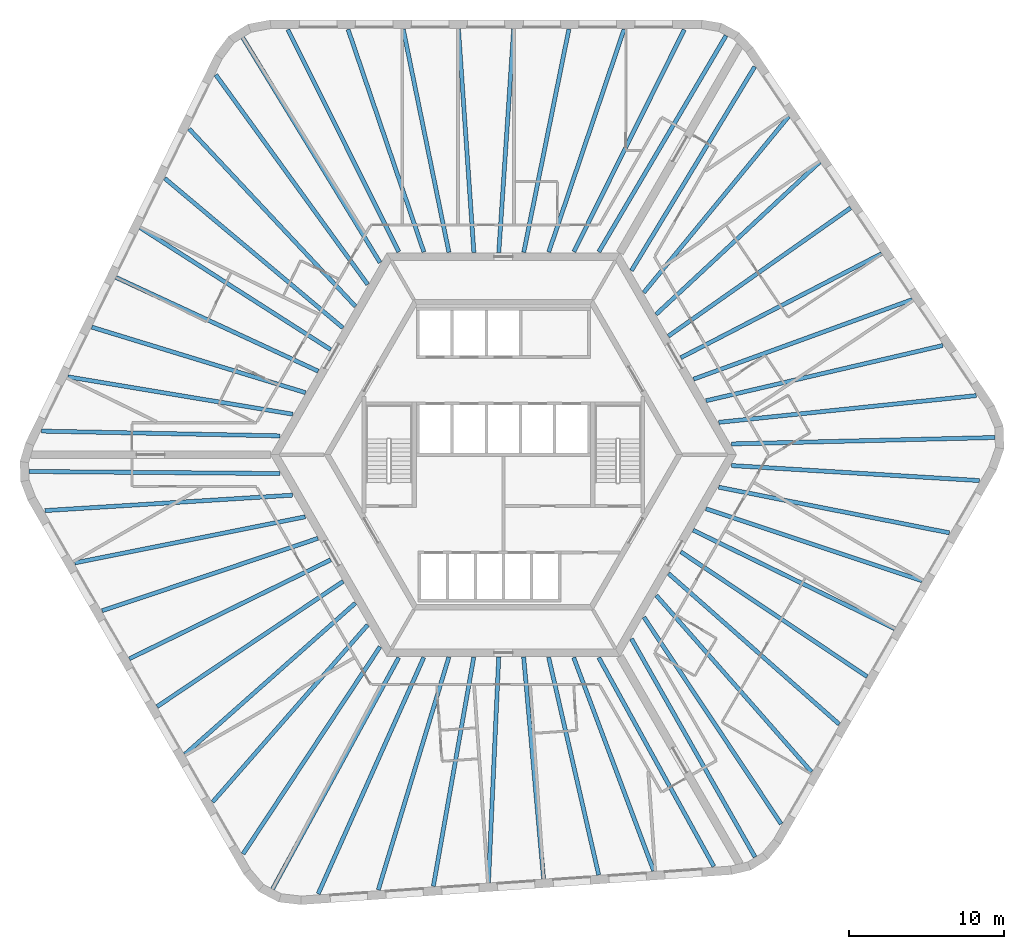
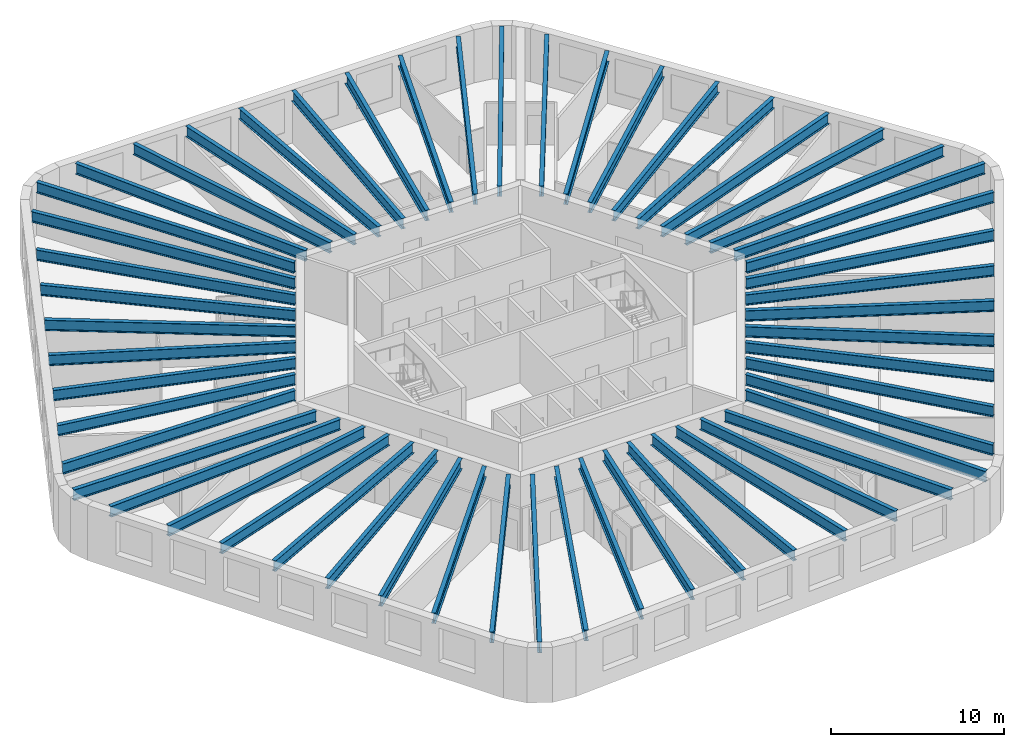
# One storey, part 1 of 9: 54 beams.
"""IFC4 building model written with IfcOpenShell, lengths in metres."""

from ifc_helpers import new_model, si_unit, direction, frame, origin, origin_2d, place, context, subcontext, project, spatial, i_section, extrude, material, material_profile, profile_set, type_object, element, save


model = new_model("IFC4")

# Units and contexts
model_context = context("Model", 3, precision=1e-05, world=origin(), true_north=direction((0.0, 1.0)))
body_context = subcontext(model_context, "Body", "Model", "MODEL_VIEW")
ifc_project = project(units=[si_unit("LENGTHUNIT", "METRE"), si_unit("AREAUNIT", "SQUARE_METRE"), si_unit("VOLUMEUNIT", "CUBIC_METRE"), si_unit("PLANEANGLEUNIT", "RADIAN"), si_unit("MASSUNIT", "GRAM", prefix="KILO")], contexts=[model_context])

# Site, building, storey
site_placement = place(None, origin())
site = spatial("IfcSite", under=ifc_project, at=site_placement, CompositionType="ELEMENT")
building_placement = place(site_placement, origin())
building = spatial("IfcBuilding", under=site, at=building_placement, Name="Tarnside Tower", CompositionType="ELEMENT")
storey_placement = place(building_placement, frame((0.0, 0.0, 219.0)))
storey = spatial("IfcBuildingStorey", under=building, at=storey_placement, Name="L52", CompositionType="ELEMENT", Elevation=219.0)

# Beams
ifc_material = material(Name="Steel S355", Category="steel")
ifc_material_profile_1 = material_profile(ifc_material, i_section(OverallWidth=0.26513671875, OverallDepth=0.75390625, WebThickness=0.0126953125, FlangeThickness=0.017578125, FilletRadius=0.0166015625, at=origin_2d()), Name="UB 762x267x147")
ifc_profile_set_1 = profile_set([ifc_material_profile_1], Name="Steel S355")
beam_type_1 = type_object("IfcBeamType", Name="Floor beam UB 762x267x147", PredefinedType="BEAM", material=ifc_profile_set_1)
beam_1_placement = place(storey_placement, frame((7.77001953125, 27.393310546875, 3.373046875), z_axis=(-0.320362579778, -0.947295000239, 0.0), x_axis=(0.947295000239, -0.320362579778, 0.0)))
element("IfcBeam", 1, at=beam_1_placement, inside=storey, type_object=beam_type_1, Name="Floor beam F1.02", PredefinedType="BEAM", context=body_context, shape_type="SweptSolid", body=[
    extrude(i_section(OverallWidth=0.26513671875, OverallDepth=0.75390625, WebThickness=0.0126953125, FlangeThickness=0.017578125, FilletRadius=0.0166015625, at=origin_2d()), origin(), (0.0, 0.0, 1.0), 15.134033203125),
])
beam_2_placement = place(storey_placement, frame((4.218505859375, 27.410888671875, 3.373046875), z_axis=(-0.19841777413, -0.980117537293, 0.0), x_axis=(0.980117537293, -0.19841777413, 0.0)))
element("IfcBeam", 2, at=beam_2_placement, inside=storey, type_object=beam_type_1, Name="Floor beam F1.03", PredefinedType="BEAM", context=body_context, shape_type="SweptSolid", body=[
    extrude(i_section(OverallWidth=0.26513671875, OverallDepth=0.75390625, WebThickness=0.0126953125, FlangeThickness=0.017578125, FilletRadius=0.0166015625, at=origin_2d()), origin(), (0.0, 0.0, 1.0), 14.6630859375),
])
beam_3_placement = place(storey_placement, frame((0.66259765625, 27.429931640625, 3.373046875), z_axis=(-0.066554914868, -0.997782763585, 0.0), x_axis=(0.997782763585, -0.066554914868, 0.0)))
element("IfcBeam", 3, at=beam_3_placement, inside=storey, type_object=beam_type_1, Name="Floor beam F1.04", PredefinedType="BEAM", context=body_context, shape_type="SweptSolid", body=[
    extrude(i_section(OverallWidth=0.26513671875, OverallDepth=0.75390625, WebThickness=0.0126953125, FlangeThickness=0.017578125, FilletRadius=0.0166015625, at=origin_2d()), origin(), (0.0, 0.0, 1.0), 14.44189453125),
])
beam_4_placement = place(storey_placement, frame((-2.8974609375, 27.429931640625, 3.373046875), z_axis=(0.068876921658, -0.997625164911, 0.0), x_axis=(0.997625164911, 0.068876921658, 0.0)))
element("IfcBeam", 4, at=beam_4_placement, inside=storey, type_object=beam_type_1, Name="Floor beam F1.05", PredefinedType="BEAM", context=body_context, shape_type="SweptSolid", body=[
    extrude(i_section(OverallWidth=0.26513671875, OverallDepth=0.75390625, WebThickness=0.0126953125, FlangeThickness=0.017578125, FilletRadius=0.0166015625, at=origin_2d()), origin(), (0.0, 0.0, 1.0), 14.4443359375),
])
beam_5_placement = place(storey_placement, frame((-6.45361328125, 27.410888671875, 3.373046875), z_axis=(0.200623497398, -0.979668419564, 0.0), x_axis=(0.979668419564, 0.200623497398, 0.0)))
element("IfcBeam", 5, at=beam_5_placement, inside=storey, type_object=beam_type_1, Name="Floor beam F1.06", PredefinedType="BEAM", context=body_context, shape_type="SweptSolid", body=[
    extrude(i_section(OverallWidth=0.26513671875, OverallDepth=0.75390625, WebThickness=0.0126953125, FlangeThickness=0.017578125, FilletRadius=0.0166015625, at=origin_2d()), origin(), (0.0, 0.0, 1.0), 14.669921875),
])
beam_6_placement = place(storey_placement, frame((-10.0048828125, 27.393310546875, 3.373046875), z_axis=(0.322343712034, -0.946622697442, 0.0), x_axis=(0.946622697442, 0.322343712034, 0.0)))
element("IfcBeam", 6, at=beam_6_placement, inside=storey, type_object=beam_type_1, Name="Floor beam F1.07", PredefinedType="BEAM", context=body_context, shape_type="SweptSolid", body=[
    extrude(i_section(OverallWidth=0.26513671875, OverallDepth=0.75390625, WebThickness=0.0126953125, FlangeThickness=0.017578125, FilletRadius=0.0166015625, at=origin_2d()), origin(), (0.0, 0.0, 1.0), 15.144775390625),
])
beam_7_placement = place(storey_placement, frame((-20.241455078125, 20.9892578125, 3.373046875), z_axis=(0.683752330283, -0.729714156936, 0.0), x_axis=(0.729714156936, 0.683752330283, 0.0)))
element("IfcBeam", 7, at=beam_7_placement, inside=storey, type_object=beam_type_1, Name="Floor beam F2.02", PredefinedType="BEAM", context=body_context, shape_type="SweptSolid", body=[
    extrude(i_section(OverallWidth=0.26513671875, OverallDepth=0.75390625, WebThickness=0.0126953125, FlangeThickness=0.017578125, FilletRadius=0.0166015625, at=origin_2d()), origin(), (0.0, 0.0, 1.0), 15.6591796875),
])
beam_8_placement = place(storey_placement, frame((-21.81396484375, 17.80419921875, 3.373046875), z_axis=(0.765948461073, -0.642901979294, 0.0), x_axis=(0.642901979294, 0.765948461073, 0.0)))
element("IfcBeam", 8, at=beam_8_placement, inside=storey, type_object=beam_type_1, Name="Floor beam F2.03", PredefinedType="BEAM", context=body_context, shape_type="SweptSolid", body=[
    extrude(i_section(OverallWidth=0.26513671875, OverallDepth=0.75390625, WebThickness=0.0126953125, FlangeThickness=0.017578125, FilletRadius=0.0166015625, at=origin_2d()), origin(), (0.0, 0.0, 1.0), 14.982177734375),
])
beam_9_placement = place(storey_placement, frame((-23.389892578125, 14.616455078125, 3.373046875), z_axis=(0.842378275633, -0.538886667808, 0.0), x_axis=(0.538886667808, 0.842378275633, 0.0)))
element("IfcBeam", 9, at=beam_9_placement, inside=storey, type_object=beam_type_1, Name="Floor beam F2.04", PredefinedType="BEAM", context=body_context, shape_type="SweptSolid", body=[
    extrude(i_section(OverallWidth=0.26513671875, OverallDepth=0.75390625, WebThickness=0.0126953125, FlangeThickness=0.017578125, FilletRadius=0.0166015625, at=origin_2d()), origin(), (0.0, 0.0, 1.0), 14.5595703125),
])
beam_10_placement = place(storey_placement, frame((-24.9501953125, 11.416748046875, 3.373046875), z_axis=(0.907310131748, -0.420462037321, 0.0), x_axis=(0.420462037321, 0.907310131748, 0.0)))
element("IfcBeam", 10, at=beam_10_placement, inside=storey, type_object=beam_type_1, Name="Floor beam F2.05", PredefinedType="BEAM", context=body_context, shape_type="SweptSolid", body=[
    extrude(i_section(OverallWidth=0.26513671875, OverallDepth=0.75390625, WebThickness=0.0126953125, FlangeThickness=0.017578125, FilletRadius=0.0166015625, at=origin_2d()), origin(), (0.0, 0.0, 1.0), 14.353515625),
])
beam_11_placement = place(storey_placement, frame((-26.510986328125, 8.2177734375, 3.373046875), z_axis=(0.956073348261, -0.293127536654, 0.0), x_axis=(0.293127536654, 0.956073348261, 0.0)))
element("IfcBeam", 11, at=beam_11_placement, inside=storey, type_object=beam_type_1, Name="Floor beam F2.06", PredefinedType="BEAM", context=body_context, shape_type="SweptSolid", body=[
    extrude(i_section(OverallWidth=0.26513671875, OverallDepth=0.75390625, WebThickness=0.0126953125, FlangeThickness=0.017578125, FilletRadius=0.0166015625, at=origin_2d()), origin(), (0.0, 0.0, 1.0), 14.3955078125),
])
beam_12_placement = place(storey_placement, frame((-28.0517578125, 5.015869140625, 3.373046875), z_axis=(0.986476498304, -0.163902770858, 0.0), x_axis=(0.163902770858, 0.986476498304, 0.0)))
element("IfcBeam", 12, at=beam_12_placement, inside=storey, type_object=beam_type_1, Name="Floor beam F2.07", PredefinedType="BEAM", context=body_context, shape_type="SweptSolid", body=[
    extrude(i_section(OverallWidth=0.26513671875, OverallDepth=0.75390625, WebThickness=0.0126953125, FlangeThickness=0.017578125, FilletRadius=0.0166015625, at=origin_2d()), origin(), (0.0, 0.0, 1.0), 14.680908203125),
])
beam_13_placement = place(storey_placement, frame((-29.73828125, 1.521484375, 3.373046875), z_axis=(0.999800142641, -0.019991867701, 0.0), x_axis=(0.019991867701, 0.999800142641, 0.0)))
element("IfcBeam", 13, at=beam_13_placement, inside=storey, type_object=beam_type_1, Name="Floor beam F2.08", PredefinedType="BEAM", context=body_context, shape_type="SweptSolid", body=[
    extrude(i_section(OverallWidth=0.26513671875, OverallDepth=0.75390625, WebThickness=0.0126953125, FlangeThickness=0.017578125, FilletRadius=0.0166015625, at=origin_2d()), origin(), (0.0, 0.0, 1.0), 15.3505859375),
])
beam_14_placement = place(storey_placement, frame((-27.608154296875, -6.967529296875, 3.373046875), z_axis=(0.980564540422, 0.196196794232, 0.0), x_axis=(-0.196196794232, 0.980564540422, 0.0)))
element("IfcBeam", 14, at=beam_14_placement, inside=storey, type_object=beam_type_1, Name="Floor beam F3.02", PredefinedType="BEAM", context=body_context, shape_type="SweptSolid", body=[
    extrude(i_section(OverallWidth=0.26513671875, OverallDepth=0.75390625, WebThickness=0.0126953125, FlangeThickness=0.017578125, FilletRadius=0.0166015625, at=origin_2d()), origin(), (0.0, 0.0, 1.0), 15.134033203125),
])
beam_15_placement = place(storey_placement, frame((-25.84765625, -10.052001953125, 3.373046875), z_axis=(0.948011835322, 0.31823507049, 0.0), x_axis=(-0.31823507049, 0.948011835322, 0.0)))
element("IfcBeam", 15, at=beam_15_placement, inside=storey, type_object=beam_type_1, Name="Floor beam F3.03", PredefinedType="BEAM", context=body_context, shape_type="SweptSolid", body=[
    extrude(i_section(OverallWidth=0.26513671875, OverallDepth=0.75390625, WebThickness=0.0126953125, FlangeThickness=0.017578125, FilletRadius=0.0166015625, at=origin_2d()), origin(), (0.0, 0.0, 1.0), 14.662841796875),
])
beam_16_placement = place(storey_placement, frame((-24.086181640625, -13.141357421875, 3.373046875), z_axis=(0.897375974806, 0.441266767206, 0.0), x_axis=(-0.441266767206, 0.897375974806, 0.0)))
element("IfcBeam", 16, at=beam_16_placement, inside=storey, type_object=beam_type_1, Name="Floor beam F3.04", PredefinedType="BEAM", context=body_context, shape_type="SweptSolid", body=[
    extrude(i_section(OverallWidth=0.26513671875, OverallDepth=0.75390625, WebThickness=0.0126953125, FlangeThickness=0.017578125, FilletRadius=0.0166015625, at=origin_2d()), origin(), (0.0, 0.0, 1.0), 14.442138671875),
])
beam_17_placement = place(storey_placement, frame((-22.306396484375, -16.224365234375, 3.373046875), z_axis=(0.829532486243, 0.558458462437, 0.0), x_axis=(-0.558458462437, 0.829532486243, 0.0)))
element("IfcBeam", 17, at=beam_17_placement, inside=storey, type_object=beam_type_1, Name="Floor beam F3.05", PredefinedType="BEAM", context=body_context, shape_type="SweptSolid", body=[
    extrude(i_section(OverallWidth=0.26513671875, OverallDepth=0.75390625, WebThickness=0.0126953125, FlangeThickness=0.017578125, FilletRadius=0.0166015625, at=origin_2d()), origin(), (0.0, 0.0, 1.0), 14.444580078125),
])
beam_18_placement = place(storey_placement, frame((-20.51171875, -19.294189453125, 3.373046875), z_axis=(0.74811408094, 0.663570133369, 0.0), x_axis=(-0.663570133369, 0.74811408094, 0.0)))
element("IfcBeam", 18, at=beam_18_placement, inside=storey, type_object=beam_type_1, Name="Floor beam F3.06", PredefinedType="BEAM", context=body_context, shape_type="SweptSolid", body=[
    extrude(i_section(OverallWidth=0.26513671875, OverallDepth=0.75390625, WebThickness=0.0126953125, FlangeThickness=0.017578125, FilletRadius=0.0166015625, at=origin_2d()), origin(), (0.0, 0.0, 1.0), 14.669677734375),
])
beam_19_placement = place(storey_placement, frame((-18.720703125, -22.361083984375, 3.373046875), z_axis=(0.658621010302, 0.752474826681, 0.0), x_axis=(-0.752474826681, 0.658621010302, 0.0)))
element("IfcBeam", 19, at=beam_19_placement, inside=storey, type_object=beam_type_1, Name="Floor beam F3.07", PredefinedType="BEAM", context=body_context, shape_type="SweptSolid", body=[
    extrude(i_section(OverallWidth=0.26513671875, OverallDepth=0.75390625, WebThickness=0.0126953125, FlangeThickness=0.017578125, FilletRadius=0.0166015625, at=origin_2d()), origin(), (0.0, 0.0, 1.0), 15.144775390625),
])
beam_20_placement = place(storey_placement, frame((-8.056396484375, -28.024169921875, 3.373046875), z_axis=(0.290070138838, 0.957005388989, 0.0), x_axis=(-0.957005388989, 0.290070138838, 0.0)))
element("IfcBeam", 20, at=beam_20_placement, inside=storey, type_object=beam_type_1, Name="Floor beam F4.02", PredefinedType="BEAM", context=body_context, shape_type="SweptSolid", body=[
    extrude(i_section(OverallWidth=0.26513671875, OverallDepth=0.75390625, WebThickness=0.0126953125, FlangeThickness=0.017578125, FilletRadius=0.0166015625, at=origin_2d()), origin(), (0.0, 0.0, 1.0), 15.6591796875),
])
beam_21_placement = place(storey_placement, frame((-4.511962890625, -27.793701171875, 3.373046875), z_axis=(0.173788122681, 0.984783066678, 0.0), x_axis=(-0.984783066678, 0.173788122681, 0.0)))
element("IfcBeam", 21, at=beam_21_placement, inside=storey, type_object=beam_type_1, Name="Floor beam F4.03", PredefinedType="BEAM", context=body_context, shape_type="SweptSolid", body=[
    extrude(i_section(OverallWidth=0.26513671875, OverallDepth=0.75390625, WebThickness=0.0126953125, FlangeThickness=0.017578125, FilletRadius=0.0166015625, at=origin_2d()), origin(), (0.0, 0.0, 1.0), 14.982421875),
])
beam_22_placement = place(storey_placement, frame((-0.96337890625, -27.564453125, 3.373046875), z_axis=(0.045509585226, 0.998963902077, 0.0), x_axis=(-0.998963902077, 0.045509585226, 0.0)))
element("IfcBeam", 22, at=beam_22_placement, inside=storey, type_object=beam_type_1, Name="Floor beam F4.04", PredefinedType="BEAM", context=body_context, shape_type="SweptSolid", body=[
    extrude(i_section(OverallWidth=0.26513671875, OverallDepth=0.75390625, WebThickness=0.0126953125, FlangeThickness=0.017578125, FilletRadius=0.0166015625, at=origin_2d()), origin(), (0.0, 0.0, 1.0), 14.5595703125),
])
beam_23_placement = place(storey_placement, frame((2.587890625, -27.31591796875, 3.373046875), z_axis=(-0.089518916897, 0.995985122137, 0.0), x_axis=(-0.995985122137, -0.089518916897, 0.0)))
element("IfcBeam", 23, at=beam_23_placement, inside=storey, type_object=beam_type_1, Name="Floor beam F4.05", PredefinedType="BEAM", context=body_context, shape_type="SweptSolid", body=[
    extrude(i_section(OverallWidth=0.26513671875, OverallDepth=0.75390625, WebThickness=0.0126953125, FlangeThickness=0.017578125, FilletRadius=0.0166015625, at=origin_2d()), origin(), (0.0, 0.0, 1.0), 14.353515625),
])
beam_24_placement = place(storey_placement, frame((6.138671875, -27.068115234375, 3.373046875), z_axis=(-0.224188122435, 0.974545886944, 0.0), x_axis=(-0.974545886944, -0.224188122435, 0.0)))
element("IfcBeam", 24, at=beam_24_placement, inside=storey, type_object=beam_type_1, Name="Floor beam F4.06", PredefinedType="BEAM", context=body_context, shape_type="SweptSolid", body=[
    extrude(i_section(OverallWidth=0.26513671875, OverallDepth=0.75390625, WebThickness=0.0126953125, FlangeThickness=0.017578125, FilletRadius=0.0166015625, at=origin_2d()), origin(), (0.0, 0.0, 1.0), 14.3955078125),
])
beam_25_placement = place(storey_placement, frame((9.681884765625, -26.801513671875, 3.373046875), z_axis=(-0.351271055087, 0.936273809234, 0.0), x_axis=(-0.936273809234, -0.351271055087, 0.0)))
element("IfcBeam", 25, at=beam_25_placement, inside=storey, type_object=beam_type_1, Name="Floor beam F4.07", PredefinedType="BEAM", context=body_context, shape_type="SweptSolid", body=[
    extrude(i_section(OverallWidth=0.26513671875, OverallDepth=0.75390625, WebThickness=0.0126953125, FlangeThickness=0.017578125, FilletRadius=0.0166015625, at=origin_2d()), origin(), (0.0, 0.0, 1.0), 14.680908203125),
])
beam_26_placement = place(storey_placement, frame((13.551513671875, -26.514892578125, 3.373046875), z_axis=(-0.482584088089, 0.875849643445, 0.0), x_axis=(-0.875849643445, -0.482584088089, 0.0)))
element("IfcBeam", 26, at=beam_26_placement, inside=storey, type_object=beam_type_1, Name="Floor beam F4.08", PredefinedType="BEAM", context=body_context, shape_type="SweptSolid", body=[
    extrude(i_section(OverallWidth=0.26513671875, OverallDepth=0.75390625, WebThickness=0.0126953125, FlangeThickness=0.017578125, FilletRadius=0.0166015625, at=origin_2d()), origin(), (0.0, 0.0, 1.0), 15.3505859375),
])
beam_27_placement = place(storey_placement, frame((19.838134765625, -20.425537109375, 3.373046875), z_axis=(-0.660201214512, 0.751088780609, 0.0), x_axis=(-0.751088780609, -0.660201214512, 0.0)))
element("IfcBeam", 27, at=beam_27_placement, inside=storey, type_object=beam_type_1, Name="Floor beam F5.02", PredefinedType="BEAM", context=body_context, shape_type="SweptSolid", body=[
    extrude(i_section(OverallWidth=0.26513671875, OverallDepth=0.75390625, WebThickness=0.0126953125, FlangeThickness=0.017578125, FilletRadius=0.0166015625, at=origin_2d()), origin(), (0.0, 0.0, 1.0), 15.134033203125),
])
beam_28_placement = place(storey_placement, frame((21.629150390625, -17.358642578125, 3.373046875), z_axis=(-0.749601662028, 0.661889226597, 0.0), x_axis=(-0.661889226597, -0.749601662028, 0.0)))
element("IfcBeam", 28, at=beam_28_placement, inside=storey, type_object=beam_type_1, Name="Floor beam F5.03", PredefinedType="BEAM", context=body_context, shape_type="SweptSolid", body=[
    extrude(i_section(OverallWidth=0.26513671875, OverallDepth=0.75390625, WebThickness=0.0126953125, FlangeThickness=0.017578125, FilletRadius=0.0166015625, at=origin_2d()), origin(), (0.0, 0.0, 1.0), 14.6630859375),
])
beam_29_placement = place(storey_placement, frame((23.423828125, -14.288818359375, 3.373046875), z_axis=(-0.830825943553, 0.556532345439, 0.0), x_axis=(-0.556532345439, -0.830825943553, 0.0)))
element("IfcBeam", 29, at=beam_29_placement, inside=storey, type_object=beam_type_1, Name="Floor beam F5.04", PredefinedType="BEAM", context=body_context, shape_type="SweptSolid", body=[
    extrude(i_section(OverallWidth=0.26513671875, OverallDepth=0.75390625, WebThickness=0.0126953125, FlangeThickness=0.017578125, FilletRadius=0.0166015625, at=origin_2d()), origin(), (0.0, 0.0, 1.0), 14.4423828125),
])
beam_30_placement = place(storey_placement, frame((25.203857421875, -11.205810546875, 3.373046875), z_axis=(-0.898407034897, 0.43916375038, 0.0), x_axis=(-0.43916375038, -0.898407034897, 0.0)))
element("IfcBeam", 30, at=beam_30_placement, inside=storey, type_object=beam_type_1, Name="Floor beam F5.05", PredefinedType="BEAM", context=body_context, shape_type="SweptSolid", body=[
    extrude(i_section(OverallWidth=0.26513671875, OverallDepth=0.75390625, WebThickness=0.0126953125, FlangeThickness=0.017578125, FilletRadius=0.0166015625, at=origin_2d()), origin(), (0.0, 0.0, 1.0), 14.444580078125),
])
beam_31_placement = place(storey_placement, frame((26.965087890625, -8.116455078125, 3.373046875), z_axis=(-0.948728223501, 0.31609295774, 0.0), x_axis=(-0.31609295774, -0.948728223501, 0.0)))
element("IfcBeam", 31, at=beam_31_placement, inside=storey, type_object=beam_type_1, Name="Floor beam F5.06", PredefinedType="BEAM", context=body_context, shape_type="SweptSolid", body=[
    extrude(i_section(OverallWidth=0.26513671875, OverallDepth=0.75390625, WebThickness=0.0126953125, FlangeThickness=0.017578125, FilletRadius=0.0166015625, at=origin_2d()), origin(), (0.0, 0.0, 1.0), 14.669677734375),
])
beam_32_placement = place(storey_placement, frame((28.7255859375, -5.031982421875, 3.373046875), z_axis=(-0.980974250646, 0.194137888034, 0.0), x_axis=(-0.194137888034, -0.980974250646, 0.0)))
element("IfcBeam", 32, at=beam_32_placement, inside=storey, type_object=beam_type_1, Name="Floor beam F5.07", PredefinedType="BEAM", context=body_context, shape_type="SweptSolid", body=[
    extrude(i_section(OverallWidth=0.26513671875, OverallDepth=0.75390625, WebThickness=0.0126953125, FlangeThickness=0.017578125, FilletRadius=0.0166015625, at=origin_2d()), origin(), (0.0, 0.0, 1.0), 15.144775390625),
])
beam_33_placement = place(storey_placement, frame((28.2978515625, 7.034912109375, 3.373046875), z_axis=(-0.973828212928, -0.227285309042, 0.0), x_axis=(0.227285309042, -0.973828212928, 0.0)))
element("IfcBeam", 33, at=beam_33_placement, inside=storey, type_object=beam_type_1, Name="Floor beam F6.02", PredefinedType="BEAM", context=body_context, shape_type="SweptSolid", body=[
    extrude(i_section(OverallWidth=0.26513671875, OverallDepth=0.75390625, WebThickness=0.0126953125, FlangeThickness=0.017578125, FilletRadius=0.0166015625, at=origin_2d()), origin(), (0.0, 0.0, 1.0), 15.6591796875),
])
beam_34_placement = place(storey_placement, frame((26.325927734375, 9.989501953125, 3.373046875), z_axis=(-0.939738697004, -0.341893523415, 0.0), x_axis=(0.341893523415, -0.939738697004, 0.0)))
element("IfcBeam", 34, at=beam_34_placement, inside=storey, type_object=beam_type_1, Name="Floor beam F6.03", PredefinedType="BEAM", context=body_context, shape_type="SweptSolid", body=[
    extrude(i_section(OverallWidth=0.26513671875, OverallDepth=0.75390625, WebThickness=0.0126953125, FlangeThickness=0.017578125, FilletRadius=0.0166015625, at=origin_2d()), origin(), (0.0, 0.0, 1.0), 14.982177734375),
])
beam_35_placement = place(storey_placement, frame((24.353271484375, 12.947998046875, 3.373046875), z_axis=(-0.887881646639, -0.460071930856, 0.0), x_axis=(0.460071930856, -0.887881646639, 0.0)))
element("IfcBeam", 35, at=beam_35_placement, inside=storey, type_object=beam_type_1, Name="Floor beam F6.04", PredefinedType="BEAM", context=body_context, shape_type="SweptSolid", body=[
    extrude(i_section(OverallWidth=0.26513671875, OverallDepth=0.75390625, WebThickness=0.0126953125, FlangeThickness=0.017578125, FilletRadius=0.0166015625, at=origin_2d()), origin(), (0.0, 0.0, 1.0), 14.5595703125),
])
beam_36_placement = place(storey_placement, frame((22.3623046875, 15.899169921875, 3.373046875), z_axis=(-0.817791001708, -0.575515314762, 0.0), x_axis=(0.575515314762, -0.817791001708, 0.0)))
element("IfcBeam", 36, at=beam_36_placement, inside=storey, type_object=beam_type_1, Name="Floor beam F6.05", PredefinedType="BEAM", context=body_context, shape_type="SweptSolid", body=[
    extrude(i_section(OverallWidth=0.26513671875, OverallDepth=0.75390625, WebThickness=0.0126953125, FlangeThickness=0.017578125, FilletRadius=0.0166015625, at=origin_2d()), origin(), (0.0, 0.0, 1.0), 14.353759765625),
])
beam_37_placement = place(storey_placement, frame((20.372314453125, 18.850341796875, 3.373046875), z_axis=(-0.731892224456, -0.681420407517, 0.0), x_axis=(0.681420407517, -0.731892224456, 0.0)))
element("IfcBeam", 37, at=beam_37_placement, inside=storey, type_object=beam_type_1, Name="Floor beam F6.06", PredefinedType="BEAM", context=body_context, shape_type="SweptSolid", body=[
    extrude(i_section(OverallWidth=0.26513671875, OverallDepth=0.75390625, WebThickness=0.0126953125, FlangeThickness=0.017578125, FilletRadius=0.0166015625, at=origin_2d()), origin(), (0.0, 0.0, 1.0), 14.3955078125),
])
beam_38_placement = place(storey_placement, frame((18.369873046875, 21.78564453125, 3.373046875), z_axis=(-0.635191827457, -0.772354414975, 0.0), x_axis=(0.772354414975, -0.635191827457, 0.0)))
element("IfcBeam", 38, at=beam_38_placement, inside=storey, type_object=beam_type_1, Name="Floor beam F6.07", PredefinedType="BEAM", context=body_context, shape_type="SweptSolid", body=[
    extrude(i_section(OverallWidth=0.26513671875, OverallDepth=0.75390625, WebThickness=0.0126953125, FlangeThickness=0.017578125, FilletRadius=0.0166015625, at=origin_2d()), origin(), (0.0, 0.0, 1.0), 14.680908203125),
])
beam_39_placement = place(storey_placement, frame((16.186767578125, 24.993408203125, 3.373046875), z_axis=(-0.517208605106, -0.855859368591, 0.0), x_axis=(0.855859368591, -0.517208605106, 0.0)))
element("IfcBeam", 39, at=beam_39_placement, inside=storey, type_object=beam_type_1, Name="Floor beam F6.08", PredefinedType="BEAM", context=body_context, shape_type="SweptSolid", body=[
    extrude(i_section(OverallWidth=0.26513671875, OverallDepth=0.75390625, WebThickness=0.0126953125, FlangeThickness=0.017578125, FilletRadius=0.0166015625, at=origin_2d()), origin(), (0.0, 0.0, 1.0), 15.3505859375),
])
ifc_material_profile_2 = material_profile(ifc_material, i_section(OverallWidth=0.2666015625, OverallDepth=0.76220703125, WebThickness=0.014404296875, FlangeThickness=0.021484375, FilletRadius=0.0166015625, at=origin_2d()), Name="UB 762x267x173")
ifc_profile_set_2 = profile_set([ifc_material_profile_2], Name="Steel S355")
beam_type_2 = type_object("IfcBeamType", Name="Floor beam UB 762x267x173", PredefinedType="BEAM", material=ifc_profile_set_2)
beam_40_placement = place(storey_placement, frame((11.6494140625, 27.37841796875, 3.368896484375), z_axis=(-0.445042310328, -0.895509543231, 0.0), x_axis=(0.895509543231, -0.445042310328, 0.0)))
element("IfcBeam", 40, at=beam_40_placement, inside=storey, type_object=beam_type_2, Name="Floor beam F1.01", PredefinedType="BEAM", context=body_context, shape_type="SweptSolid", body=[
    extrude(i_section(OverallWidth=0.2666015625, OverallDepth=0.76220703125, WebThickness=0.014404296875, FlangeThickness=0.021484375, FilletRadius=0.0166015625, at=origin_2d()), origin(), (0.0, 0.0, 1.0), 15.976318359375),
])
beam_41_placement = place(storey_placement, frame((-13.884521484375, 27.37841796875, 3.368896484375), z_axis=(0.44673108957, -0.894668281326, 0.0), x_axis=(0.894668281326, 0.44673108957, 0.0)))
element("IfcBeam", 41, at=beam_41_placement, inside=storey, type_object=beam_type_2, Name="Floor beam F1.08", PredefinedType="BEAM", context=body_context, shape_type="SweptSolid", body=[
    extrude(i_section(OverallWidth=0.2666015625, OverallDepth=0.76220703125, WebThickness=0.014404296875, FlangeThickness=0.021484375, FilletRadius=0.0166015625, at=origin_2d()), origin(), (0.0, 0.0, 1.0), 15.9912109375),
])
beam_42_placement = place(storey_placement, frame((-16.79345703125, 26.86962890625, 3.368896484375), z_axis=(0.520940467881, -0.853593011291, 0.0), x_axis=(0.853593011291, 0.520940467881, 0.0)))
element("IfcBeam", 42, at=beam_42_placement, inside=storey, type_object=beam_type_2, Name="Floor beam C1", PredefinedType="BEAM", context=body_context, shape_type="SweptSolid", body=[
    extrude(i_section(OverallWidth=0.2666015625, OverallDepth=0.76220703125, WebThickness=0.014404296875, FlangeThickness=0.021484375, FilletRadius=0.0166015625, at=origin_2d()), origin(), (0.0, 0.0, 1.0), 16.980712890625),
])
beam_43_placement = place(storey_placement, frame((-18.52685546875, 24.471435546875, 3.368896484375), z_axis=(0.586791943415, -0.80973774467, 0.0), x_axis=(0.80973774467, 0.586791943415, 0.0)))
element("IfcBeam", 43, at=beam_43_placement, inside=storey, type_object=beam_type_2, Name="Floor beam F2.01", PredefinedType="BEAM", context=body_context, shape_type="SweptSolid", body=[
    extrude(i_section(OverallWidth=0.2666015625, OverallDepth=0.76220703125, WebThickness=0.014404296875, FlangeThickness=0.021484375, FilletRadius=0.0166015625, at=origin_2d()), origin(), (0.0, 0.0, 1.0), 16.67578125),
])
beam_44_placement = place(storey_placement, frame((-30.543212890625, -1.079345703125, 3.368896484375), z_axis=(0.999966072652, -0.008237326324, 0.0), x_axis=(0.008237326324, 0.999966072652, 0.0)))
element("IfcBeam", 44, at=beam_44_placement, inside=storey, type_object=beam_type_2, Name="Floor beam C2", PredefinedType="BEAM", context=body_context, shape_type="SweptSolid", body=[
    extrude(i_section(OverallWidth=0.2666015625, OverallDepth=0.76220703125, WebThickness=0.014404296875, FlangeThickness=0.021484375, FilletRadius=0.0166015625, at=origin_2d()), origin(), (0.0, 0.0, 1.0), 16.15283203125),
])
beam_45_placement = place(storey_placement, frame((-29.534912109375, -3.6005859375, 3.368896484375), z_axis=(0.99805531279, 0.062334521832, 0.0), x_axis=(-0.062334521832, 0.99805531279, 0.0)))
element("IfcBeam", 45, at=beam_45_placement, inside=storey, type_object=beam_type_2, Name="Floor beam F3.01", PredefinedType="BEAM", context=body_context, shape_type="SweptSolid", body=[
    extrude(i_section(OverallWidth=0.2666015625, OverallDepth=0.76220703125, WebThickness=0.014404296875, FlangeThickness=0.021484375, FilletRadius=0.0166015625, at=origin_2d()), origin(), (0.0, 0.0, 1.0), 15.975830078125),
])
beam_46_placement = place(storey_placement, frame((-16.768310546875, -25.71337890625, 3.368896484375), z_axis=(0.551447600123, 0.834209532623, 0.0), x_axis=(-0.834209532623, 0.551447600123, 0.0)))
element("IfcBeam", 46, at=beam_46_placement, inside=storey, type_object=beam_type_2, Name="Floor beam F3.08", PredefinedType="BEAM", context=body_context, shape_type="SweptSolid", body=[
    extrude(i_section(OverallWidth=0.2666015625, OverallDepth=0.76220703125, WebThickness=0.014404296875, FlangeThickness=0.021484375, FilletRadius=0.0166015625, at=origin_2d()), origin(), (0.0, 0.0, 1.0), 15.9912109375),
])
beam_47_placement = place(storey_placement, frame((-14.873046875, -27.978515625, 3.368896484375), z_axis=(0.478767512404, 0.877941723047, 0.0), x_axis=(-0.877941723047, 0.478767512404, 0.0)))
element("IfcBeam", 47, at=beam_47_placement, inside=storey, type_object=beam_type_2, Name="Floor beam C3", PredefinedType="BEAM", context=body_context, shape_type="SweptSolid", body=[
    extrude(i_section(OverallWidth=0.2666015625, OverallDepth=0.76220703125, WebThickness=0.014404296875, FlangeThickness=0.021484375, FilletRadius=0.0166015625, at=origin_2d()), origin(), (0.0, 0.0, 1.0), 16.98095703125),
])
beam_48_placement = place(storey_placement, frame((-11.929443359375, -28.280517578125, 3.368896484375), z_axis=(0.407852035629, 0.913048036542, 0.0), x_axis=(-0.913048036542, 0.407852035629, 0.0)))
element("IfcBeam", 48, at=beam_48_placement, inside=storey, type_object=beam_type_2, Name="Floor beam F4.01", PredefinedType="BEAM", context=body_context, shape_type="SweptSolid", body=[
    extrude(i_section(OverallWidth=0.2666015625, OverallDepth=0.76220703125, WebThickness=0.014404296875, FlangeThickness=0.021484375, FilletRadius=0.0166015625, at=origin_2d()), origin(), (0.0, 0.0, 1.0), 16.67578125),
])
beam_49_placement = place(storey_placement, frame((16.206298828125, -25.91162109375, 3.368896484375), z_axis=(-0.492847437034, 0.870115741616, 0.0), x_axis=(-0.870115741616, -0.492847437034, 0.0)))
element("IfcBeam", 49, at=beam_49_placement, inside=storey, type_object=beam_type_2, Name="Floor beam C4", PredefinedType="BEAM", context=body_context, shape_type="SweptSolid", body=[
    extrude(i_section(OverallWidth=0.2666015625, OverallDepth=0.76220703125, WebThickness=0.014404296875, FlangeThickness=0.021484375, FilletRadius=0.0166015625, at=origin_2d()), origin(), (0.0, 0.0, 1.0), 16.15283203125),
])
beam_50_placement = place(storey_placement, frame((17.8857421875, -23.77783203125, 3.368896484375), z_axis=(-0.553013371197, 0.833172377889, 0.0), x_axis=(-0.833172377889, -0.553013371197, 0.0)))
element("IfcBeam", 50, at=beam_50_placement, inside=storey, type_object=beam_type_2, Name="Floor beam F5.01", PredefinedType="BEAM", context=body_context, shape_type="SweptSolid", body=[
    extrude(i_section(OverallWidth=0.2666015625, OverallDepth=0.76220703125, WebThickness=0.014404296875, FlangeThickness=0.021484375, FilletRadius=0.0166015625, at=origin_2d()), origin(), (0.0, 0.0, 1.0), 15.97607421875),
])
beam_51_placement = place(storey_placement, frame((30.652587890625, -1.6650390625, 3.368896484375), z_axis=(-0.998170730858, 0.060458184371, 0.0), x_axis=(-0.060458184371, -0.998170730858, 0.0)))
element("IfcBeam", 51, at=beam_51_placement, inside=storey, type_object=beam_type_2, Name="Floor beam F5.08", PredefinedType="BEAM", context=body_context, shape_type="SweptSolid", body=[
    extrude(i_section(OverallWidth=0.2666015625, OverallDepth=0.76220703125, WebThickness=0.014404296875, FlangeThickness=0.021484375, FilletRadius=0.0166015625, at=origin_2d()), origin(), (0.0, 0.0, 1.0), 15.9912109375),
])
beam_52_placement = place(storey_placement, frame((31.66650390625, 1.108642578125, 3.368896484375), z_axis=(-0.999703706976, -0.024341287118, 0.0), x_axis=(0.024341287118, -0.999703706976, 0.0)))
element("IfcBeam", 52, at=beam_52_placement, inside=storey, type_object=beam_type_2, Name="Floor beam C5", PredefinedType="BEAM", context=body_context, shape_type="SweptSolid", body=[
    extrude(i_section(OverallWidth=0.2666015625, OverallDepth=0.76220703125, WebThickness=0.014404296875, FlangeThickness=0.021484375, FilletRadius=0.0166015625, at=origin_2d()), origin(), (0.0, 0.0, 1.0), 16.980712890625),
])
beam_53_placement = place(storey_placement, frame((30.456298828125, 3.80908203125, 3.368896484375), z_axis=(-0.994648352349, -0.103318222829, 0.0), x_axis=(0.103318222829, -0.994648352349, 0.0)))
element("IfcBeam", 53, at=beam_53_placement, inside=storey, type_object=beam_type_2, Name="Floor beam F6.01", PredefinedType="BEAM", context=body_context, shape_type="SweptSolid", body=[
    extrude(i_section(OverallWidth=0.2666015625, OverallDepth=0.76220703125, WebThickness=0.014404296875, FlangeThickness=0.021484375, FilletRadius=0.0166015625, at=origin_2d()), origin(), (0.0, 0.0, 1.0), 16.67578125),
])
beam_54_placement = place(storey_placement, frame((14.3369140625, 26.990966796875, 3.368896484375), z_axis=(-0.507115238706, -0.861878259775, 0.0), x_axis=(0.861878259775, -0.507115238706, 0.0)))
element("IfcBeam", 54, at=beam_54_placement, inside=storey, type_object=beam_type_2, Name="Floor beam C6", PredefinedType="BEAM", context=body_context, shape_type="SweptSolid", body=[
    extrude(i_section(OverallWidth=0.2666015625, OverallDepth=0.76220703125, WebThickness=0.014404296875, FlangeThickness=0.021484375, FilletRadius=0.0166015625, at=origin_2d()), origin(), (0.0, 0.0, 1.0), 16.15283203125),
])

save(model, "model.ifc")
